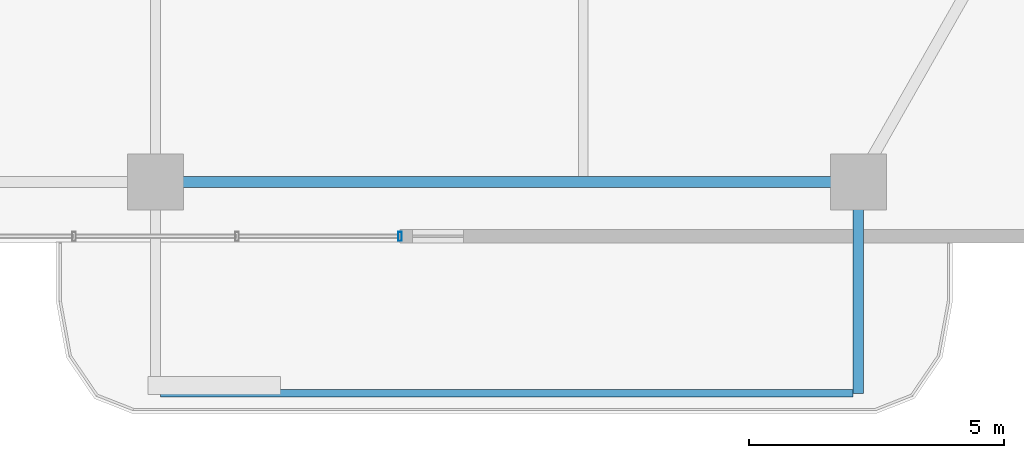
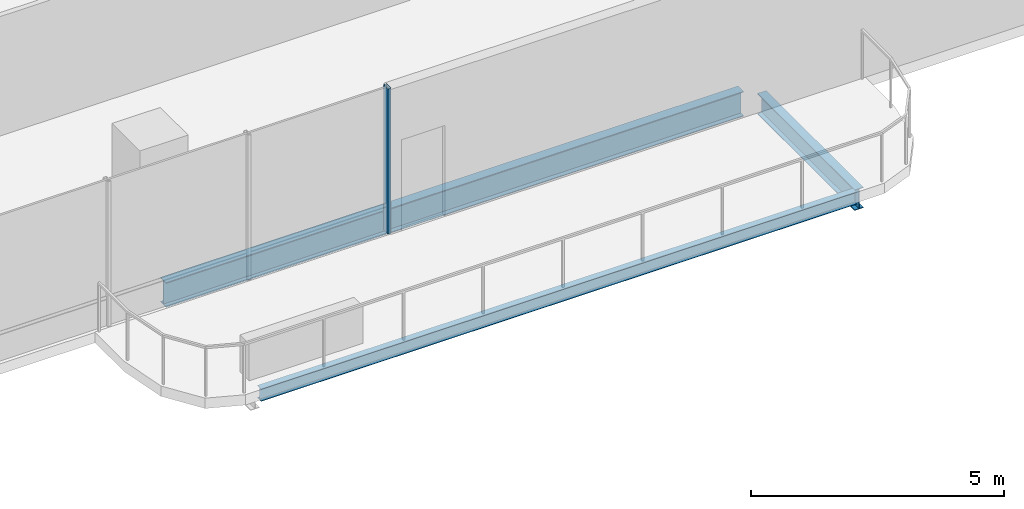
# One storey, part 6 of 24: 3 beams, 1 member, 1 element without a shape of its own.
"""IFC4 building model written with IfcOpenShell, lengths in metres."""

import ifcopenshell
import ifcopenshell.guid

model = None  # the IFC model being written
_history = None  # IfcOwnerHistory: only IFC2X3 demands one
_inside = {}  # id of a spatial element -> (the spatial element, [elements in it])
_under = {}  # id of a project, library or spatial element -> (it, [spatial elements below it])
_declared = {}  # id of a project -> (the project, [libraries it declares])
_typed = {}  # id of a type object -> (the type object, [elements of that type])
_made_of = {}  # id of a material, layer set ... -> (it, [elements and type objects made of it])


def new_model(schema):
    """Start an empty IFC model of exactly this schema.

    Asked for "IFC4X3", IfcOpenShell would pick the latest addendum, in which some entities
    have other attributes; the version numbers below select the first issue.
    IFC2X3 requires an IfcOwnerHistory on every rooted entity: one is made here for all.
    """
    global model, _history
    if schema == "IFC4X3":
        model = ifcopenshell.file(schema_version=(4, 3, 0, 0))
    else:
        model = ifcopenshell.file(schema=schema)
    _inside.clear()
    _under.clear()
    _declared.clear()
    _typed.clear()
    _made_of.clear()
    _history = None
    if model.schema == "IFC2X3":
        org = make("IfcOrganization", Name="unknown")
        user = make(
            "IfcPersonAndOrganization",
            ThePerson=make("IfcPerson", FamilyName="unknown"),
            TheOrganization=org,
        )
        app = make(
            "IfcApplication",
            ApplicationDeveloper=org,
            Version="unknown",
            ApplicationFullName="unknown",
            ApplicationIdentifier="unknown",
        )
        _history = make(
            "IfcOwnerHistory",
            OwningUser=user,
            OwningApplication=app,
            ChangeAction="ADDED",
            CreationDate=0,
        )
    return model


def make(cls, **values):
    """One entity of the class cls with the attributes given. An attribute that is None is left unset."""
    return model.create_entity(
        cls, **{name: value for name, value in values.items() if value is not None}
    )


def rooted(cls, **values):
    """An entity with a GlobalId (a new one), such as an element, a storey or a relation."""
    return make(cls, GlobalId=ifcopenshell.guid.new(), OwnerHistory=_history, **values)


def si_unit(unit_type, name, prefix=None):
    """IfcSIUnit, for example si_unit("LENGTHUNIT", "METRE", prefix="MILLI")."""
    return make("IfcSIUnit", UnitType=unit_type, Prefix=prefix, Name=name)


def assignment(units):
    """IfcUnitAssignment: the units of a project."""
    return None if units is None else make("IfcUnitAssignment", Units=units)


def point(xyz):
    """IfcCartesianPoint."""
    return None if xyz is None else make("IfcCartesianPoint", Coordinates=xyz)


def direction(xyz):
    """IfcDirection."""
    return None if xyz is None else make("IfcDirection", DirectionRatios=xyz)


def frame(location, z_axis=None, x_axis=None):
    """IfcAxis2Placement3D, a coordinate frame: its origin and axes. An axis left out is left unset."""
    return make(
        "IfcAxis2Placement3D",
        Location=point(location),
        Axis=direction(z_axis),
        RefDirection=direction(x_axis),
    )


def frame_2d(location, x_axis=None):
    """IfcAxis2Placement2D, a coordinate frame in the plane: its origin and x axis."""
    return make(
        "IfcAxis2Placement2D", Location=point(location), RefDirection=direction(x_axis)
    )


def origin():
    """The frame at (0, 0, 0) with its axes left unset."""
    return frame((0.0, 0.0, 0.0))


def origin_2d():
    """The frame at (0, 0) in the plane with its x axis left unset."""
    return frame_2d((0.0, 0.0))


def place(relative_to, where):
    """IfcLocalPlacement: puts the frame where relative to a parent placement (None: the world)."""
    return make(
        "IfcLocalPlacement", PlacementRelTo=relative_to, RelativePlacement=where
    )


def context(
    kind, dimensions, precision=None, world=None, true_north=None, identifier=None
):
    """IfcGeometricRepresentationContext, for example the 3D "Model" context."""
    return make(
        "IfcGeometricRepresentationContext",
        ContextIdentifier=identifier,
        ContextType=kind,
        CoordinateSpaceDimension=dimensions,
        Precision=precision,
        WorldCoordinateSystem=world,
        TrueNorth=true_north,
    )


def subcontext(parent, identifier, kind, view, scale=None):
    """IfcGeometricRepresentationSubContext, for example "Body" below "Model"."""
    return make(
        "IfcGeometricRepresentationSubContext",
        ContextIdentifier=identifier,
        ContextType=kind,
        ParentContext=parent,
        TargetScale=scale,
        TargetView=view,
    )


def project(units=None, contexts=None):
    """IfcProject with its units and contexts."""
    return rooted(
        "IfcProject",
        Name="project",
        RepresentationContexts=contexts,
        UnitsInContext=assignment(units),
    )


def spatial(cls, under=None, at=None, **own):
    """A site, building, storey or space (cls), placed at a placement, below another one or the project."""
    s = rooted(cls, ObjectPlacement=at, **own)
    if under is not None:
        _under.setdefault(under.id(), (under, []))[1].append(s)
    return s


def profile(cls, at=None, kind="AREA", **sizes):
    """A parametric profile (cls). Its sizes go by their IFC names, for example OverallWidth=200.0."""
    return make(cls, ProfileType=kind, Position=at, **sizes)


def hollow_rectangle(**sizes):
    """IfcRectangleHollowProfileDef."""
    return profile("IfcRectangleHollowProfileDef", **sizes)


def i_section(**sizes):
    """IfcIShapeProfileDef."""
    return profile("IfcIShapeProfileDef", **sizes)


def extrude(swept, where, along, depth):
    """IfcExtrudedAreaSolid: the profile swept, set in the frame where, extruded along a direction by depth."""
    return make(
        "IfcExtrudedAreaSolid",
        SweptArea=swept,
        Position=where,
        ExtrudedDirection=direction(along),
        Depth=depth,
    )


def shape(context_of_items, identifier, shape_type, items):
    """IfcShapeRepresentation: the items that make up one representation, for example the "Body"."""
    return make(
        "IfcShapeRepresentation",
        ContextOfItems=context_of_items,
        RepresentationIdentifier=identifier,
        RepresentationType=shape_type,
        Items=items,
    )


def material(Name=None, Category=None):
    """IfcMaterial."""
    return make("IfcMaterial", Name=Name, Category=Category)


def layer(
    of_material, thickness, ventilated=None, Name=None, Category=None, Priority=None
):
    """IfcMaterialLayer: one layer of a wall or slab, of a material (None: an air gap)."""
    return make(
        "IfcMaterialLayer",
        Material=of_material,
        LayerThickness=thickness,
        IsVentilated=ventilated,
        Name=Name,
        Category=Category,
        Priority=Priority,
    )


def layer_set(layers, Name=None):
    """IfcMaterialLayerSet."""
    return make("IfcMaterialLayerSet", MaterialLayers=layers, LayerSetName=Name)


def material_profile(
    of_material, cross_section, Name=None, Category=None, Priority=None
):
    """IfcMaterialProfile: a cross section and its material."""
    return make(
        "IfcMaterialProfile",
        Name=Name,
        Material=of_material,
        Profile=cross_section,
        Priority=Priority,
        Category=Category,
    )


def profile_set(profiles, Name=None, composite=None):
    """IfcMaterialProfileSet."""
    return make(
        "IfcMaterialProfileSet",
        Name=Name,
        MaterialProfiles=profiles,
        CompositeProfile=composite,
    )


def made_of(thing, what):
    """Note that an element or type object is made of a material, layer set ...; save() writes the relation."""
    if what is not None:
        _made_of.setdefault(what.id(), (what, []))[1].append(thing)
    return thing


def type_object(cls, material=None, **own):
    """A type object (cls), such as IfcWallType, which elements share."""
    return made_of(rooted(cls, **own), material)


def element(
    cls,
    number,
    at=None,
    inside=None,
    cuts=None,
    type_object=None,
    material=None,
    context=None,
    identifier="Body",
    shape_type=None,
    held_by="IfcProductDefinitionShape",
    body=None,
    shapes=None,
    **own,
):
    """One element of the class cls, such as IfcWall. Its Tag is "e" and its number.

    at: its placement. inside: the storey or other place that contains it. cuts: it is an
    opening in that element (IfcRelVoidsElement). A single representation is given by context,
    identifier, shape_type and body (its items); several are given by shapes. held_by: the class
    of the entity that holds the representations. save() writes the other relations.
    """
    e = rooted(cls, Tag="e%d" % number, ObjectPlacement=at, **own)
    if body is not None:
        shapes = [shape(context, identifier, shape_type, body)]
    if shapes is not None:
        e.Representation = make(held_by, Representations=shapes)
    if inside is not None:
        _inside.setdefault(inside.id(), (inside, []))[1].append(e)
    if cuts is not None:
        rooted(
            "IfcRelVoidsElement", RelatingBuildingElement=cuts, RelatedOpeningElement=e
        )
    if type_object is not None:
        _typed.setdefault(type_object.id(), (type_object, []))[1].append(e)
    return made_of(e, material)


def aggregate(whole, parts):
    """IfcRelAggregates: a whole, such as a stair, and the parts it consists of."""
    return rooted("IfcRelAggregates", RelatingObject=whole, RelatedObjects=parts)


def save(model, path):
    """Write the relations noted so far, then the file.

    IfcRelAggregates (storeys below a building ...), IfcRelContainedInSpatialStructure (elements
    in a storey), IfcRelDefinesByType, IfcRelAssociatesMaterial and IfcRelDeclares: one each for
    every whole, place, type object, material and project.
    """
    for whole, parts in _under.values():
        aggregate(whole, parts)
    for where, things in _inside.values():
        rooted(
            "IfcRelContainedInSpatialStructure",
            RelatedElements=things,
            RelatingStructure=where,
        )
    for kind, things in _typed.values():
        rooted("IfcRelDefinesByType", RelatedObjects=things, RelatingType=kind)
    for what, things in _made_of.values():
        rooted("IfcRelAssociatesMaterial", RelatedObjects=things, RelatingMaterial=what)
    for by, libraries in _declared.values():
        rooted("IfcRelDeclares", RelatingContext=by, RelatedDefinitions=libraries)
    model.write(path)


model = new_model("IFC4")

# Units and contexts
model_context = context("Model", 3, precision=1e-05, world=origin(), true_north=direction((0.0, 1.0)))
body_context = subcontext(model_context, "Body", "Model", "MODEL_VIEW")
ifc_project = project(units=[si_unit("LENGTHUNIT", "METRE"), si_unit("AREAUNIT", "SQUARE_METRE"), si_unit("VOLUMEUNIT", "CUBIC_METRE"), si_unit("PLANEANGLEUNIT", "RADIAN"), si_unit("MASSUNIT", "GRAM", prefix="KILO")], contexts=[model_context])

# Site, building, storey
site_placement = place(None, origin())
site = spatial("IfcSite", under=ifc_project, at=site_placement, CompositionType="ELEMENT")
building_placement = place(site_placement, origin())
building = spatial("IfcBuilding", under=site, at=building_placement, Name="Belovzor Exchange Tower", CompositionType="ELEMENT")
storey_placement = place(building_placement, frame((0.0, 0.0, 214.949951171875)))
storey = spatial("IfcBuildingStorey", under=building, at=storey_placement, Name="L53", CompositionType="ELEMENT", Elevation=214.949951171875)

# Beams
ifc_material_1 = material(Name="Steel S355", Category="steel")
ifc_material_profile_1 = material_profile(ifc_material_1, i_section(OverallWidth=0.199951171875, OverallDepth=0.5, WebThickness=0.01025390625, FlangeThickness=0.01611328125, at=origin_2d()))
ifc_profile_set_1 = profile_set([ifc_material_profile_1], Name="Steel S355")
beam_type_1 = type_object("IfcBeamType", Name="Planted Balcony Cantilever Beam IPE 500", PredefinedType="BEAM", material=ifc_profile_set_1)
beam_1_placement = place(storey_placement, frame((42.60009765625, 2.697021484375, -0.5), z_axis=(0.0, -1.0, 0.0), x_axis=(1.0, 0.0, 0.0)))
element("IfcBeam", 1, at=beam_1_placement, inside=storey, type_object=beam_type_1, Name="BC-500 Planted Balcony Cantilever Beam IPE 500", PredefinedType="BEAM", context=body_context, shape_type="SweptSolid", body=[
    extrude(i_section(OverallWidth=0.199951171875, OverallDepth=0.5, WebThickness=0.01025390625, FlangeThickness=0.01611328125, at=origin_2d()), origin(), (0.0, 0.0, 1.0), 3.85009765625),
])
ifc_material_2 = material(Name="Steel S355", Category="steel")
ifc_material_profile_2 = material_profile(ifc_material_2, i_section(OverallWidth=0.14990234375, OverallDepth=0.300048828125, WebThickness=0.007080078125, FlangeThickness=0.0107421875, at=origin_2d()))
ifc_profile_set_2 = profile_set([ifc_material_profile_2], Name="Steel S355")
beam_type_2 = type_object("IfcBeamType", Name="Planted Balcony Fascia Edge Beam IPE 300", PredefinedType="BEAM", material=ifc_profile_set_2)
beam_2_placement = place(storey_placement, frame((28.89990234375, -1.153076171875, -0.39990234375), z_axis=(1.0, 0.0, 0.0), x_axis=(0.0, 1.0, 0.0)))
element("IfcBeam", 2, at=beam_2_placement, inside=storey, type_object=beam_type_2, Name="BC-300 Planted Balcony Fascia Edge Beam IPE 300", PredefinedType="BEAM", context=body_context, shape_type="SweptSolid", body=[
    extrude(i_section(OverallWidth=0.14990234375, OverallDepth=0.300048828125, WebThickness=0.007080078125, FlangeThickness=0.0107421875, at=origin_2d()), origin(), (0.0, 0.0, 1.0), 13.60009765625),
])

# Curtain wall, member
ifc_material_3 = material(Name="Anodised Aluminium Framing", Category="aluminium")
ifc_layer = layer(ifc_material_3, 0.179931640625)
ifc_layer_set = layer_set([ifc_layer], Name="Anodised Aluminium Framing")
curtain_wall_type = type_object("IfcCurtainWallType", Name="Recessed Loggia Low-Iron Triple-Glazed Curtain Wall", PredefinedType="NOTDEFINED", material=ifc_layer_set)
curtain_wall_placement = place(storey_placement, origin())
curtain_wall = element("IfcCurtainWall", 3, at=curtain_wall_placement, inside=storey, type_object=curtain_wall_type, Name="CW3 Recessed Loggia Low-Iron Triple-Glazed Curtain Wall L53", PredefinedType="NOTDEFINED")
ifc_material_4 = material(Name="Steel S355", Category="steel")
ifc_material_profile_3 = material_profile(ifc_material_4, hollow_rectangle(XDim=0.074951171875, YDim=0.179931640625, WallThickness=0.0048828125, at=origin_2d()))
ifc_profile_set_3 = profile_set([ifc_material_profile_3], Name="Steel S355")
member_type = type_object("IfcMemberType", Name="Thermally Broken Curtain Wall Mullion 180x75", PredefinedType="MULLION", material=ifc_profile_set_3)
member_placement = place(storey_placement, frame((33.60009765625, 1.929931640625, 0.0), z_axis=(0.0, 0.0, 1.0), x_axis=(-1.0, 0.0, 0.0)))
member = element("IfcMember", 4, at=member_placement, type_object=member_type, Name="CW-M180 Curtain Wall Mullion 1", PredefinedType="MULLION", context=body_context, shape_type="SweptSolid", body=[
    extrude(hollow_rectangle(XDim=0.074951171875, YDim=0.179931640625, WallThickness=0.0048828125, at=origin_2d()), origin(), (0.0, 0.0, 1.0), 3.5),
])
aggregate(curtain_wall, [member])

# Beam
ifc_material_5 = material(Name="Steel S355", Category="steel")
ifc_material_profile_4 = material_profile(ifc_material_5, i_section(OverallWidth=0.219970703125, OverallDepth=0.60009765625, WebThickness=0.011962890625, FlangeThickness=0.01904296875, at=origin_2d()))
ifc_profile_set_4 = profile_set([ifc_material_profile_4], Name="Steel S355")
beam_type_3 = type_object("IfcBeamType", Name="Zone 4 Flare Primary Girder IPE 600", PredefinedType="BEAM", material=ifc_profile_set_4)
beam_3_placement = place(storey_placement, frame((29.10205078125, 3.0, -0.550048828125), z_axis=(1.0, 0.0, 0.0), x_axis=(0.0, 1.0, 0.0)))
element("IfcBeam", 5, at=beam_3_placement, inside=storey, type_object=beam_type_3, Name="FG-Z4 Zone 4 Flare Primary Girder IPE 600", PredefinedType="BEAM", context=body_context, shape_type="SweptSolid", body=[
    extrude(i_section(OverallWidth=0.219970703125, OverallDepth=0.60009765625, WebThickness=0.011962890625, FlangeThickness=0.01904296875, at=origin_2d()), origin(), (0.0, 0.0, 1.0), 13.195068359375),
])

save(model, "model.ifc")
